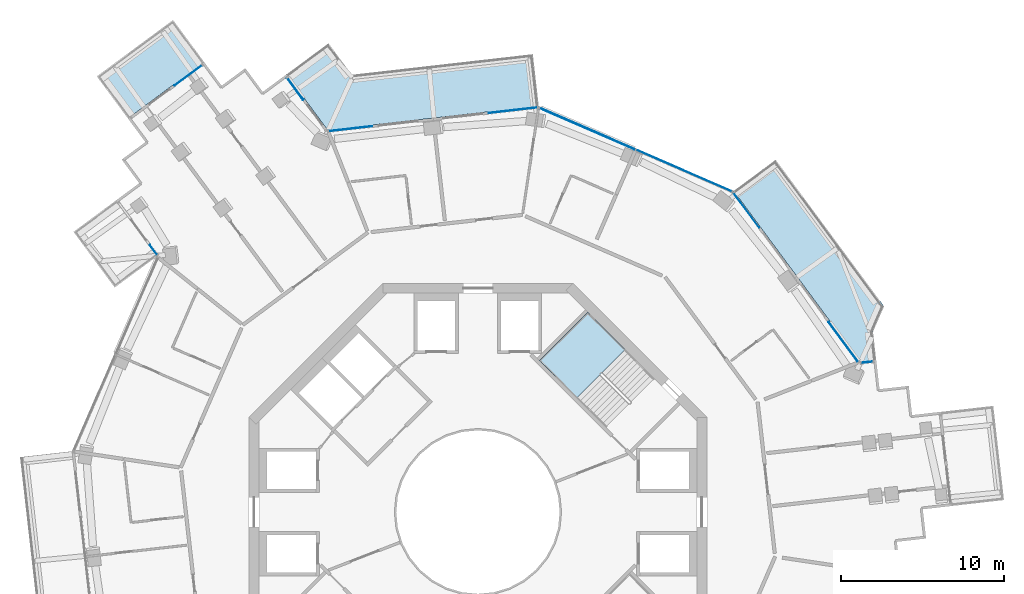
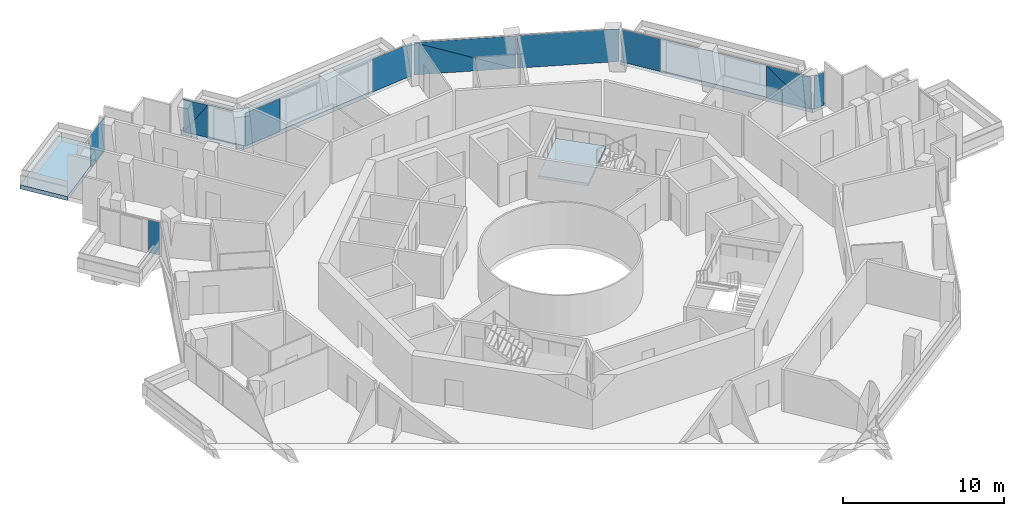
# One storey, part 14 of 23: 13 plates, 4 slabs, 8 elements without a shape of their own.
"""IFC4 building model written with IfcOpenShell, lengths in metres."""

from ifc_helpers import new_model, si_unit, direction, frame, origin, origin_2d, place, context, subcontext, project, spatial, polyline, rectangle, outline, extrude, material, layer, layer_set, type_object, element, aggregate, save


model = new_model("IFC4")

# Units and contexts
model_context = context("Model", 3, precision=1e-05, world=origin(), true_north=direction((0.0, 1.0)))
body_context = subcontext(model_context, "Body", "Model", "MODEL_VIEW")
ifc_project = project(units=[si_unit("LENGTHUNIT", "METRE"), si_unit("AREAUNIT", "SQUARE_METRE"), si_unit("VOLUMEUNIT", "CUBIC_METRE"), si_unit("PLANEANGLEUNIT", "RADIAN"), si_unit("MASSUNIT", "GRAM", prefix="KILO")], contexts=[model_context])

# Site, building, storey
site_placement = place(None, origin())
site = spatial("IfcSite", under=ifc_project, at=site_placement, CompositionType="ELEMENT")
building_placement = place(site_placement, origin())
building = spatial("IfcBuilding", under=site, at=building_placement, Name="Verdalira Terraces Hotel", CompositionType="ELEMENT")
storey_placement = place(building_placement, frame((0.0, 0.0, 183.5)))
storey = spatial("IfcBuildingStorey", under=building, at=storey_placement, Name="L44", CompositionType="ELEMENT", Elevation=183.5)

# Slabs
ifc_material_1 = material(Name="Precast concrete C40/50", Category="concrete")
ifc_layer_1 = layer(ifc_material_1, 0.31005859375)
ifc_layer_set_1 = layer_set([ifc_layer_1], Name="Balcony deck 310")
slab_type_1 = type_object("IfcSlabType", Name="Balcony deck 310", PredefinedType="FLOOR", material=ifc_layer_set_1)
slab_1_placement = place(storey_placement, frame((0.0, 0.0, -0.310059)))
element("IfcSlab", 1, at=slab_1_placement, inside=storey, type_object=slab_type_1, Name="Balcony deck", PredefinedType="FLOOR", context=body_context, shape_type="SweptSolid", body=[
    extrude(outline(polyline([(-23.316895, 26.656494), (-21.414551, 24.083496), (-16.750977, 27.531738), (-18.65332, 30.104736), (-23.316895, 26.656494)])), origin(), (0.0, 0.0, 1.0), 0.310059),
])
slab_2_placement = place(storey_placement, frame((0.0, 0.0, -0.310059)))
element("IfcSlab", 2, at=slab_2_placement, inside=storey, type_object=slab_type_1, Name="Balcony deck", PredefinedType="FLOOR", context=body_context, shape_type="SweptSolid", body=[
    extrude(outline(polyline([(15.640625, 19.648926), (23.369873, 9.196289), (24.363281, 9.309082), (24.167969, 11.030029), (24.844482, 12.584229), (18.213623, 21.551514), (15.640625, 19.648926)])), origin(), (0.0, 0.0, 1.0), 0.310059),
])
slab_3_placement = place(storey_placement, frame((0.0, 0.0, -0.310059)))
element("IfcSlab", 3, at=slab_3_placement, inside=storey, type_object=slab_type_1, Name="Balcony deck", PredefinedType="FLOOR", context=body_context, shape_type="SweptSolid", body=[
    extrude(outline(polyline([(-9.142822, 28.679932), (-11.71582, 26.777588), (-9.196289, 23.369873), (3.720703, 24.836914), (3.359619, 28.016357), (-7.72168, 26.757812), (-9.142822, 28.679932)])), origin(), (0.0, 0.0, 1.0), 0.310059),
])

# Curtain wall, plates
ifc_material_2 = material(Name="Clear glass", Category="glass")
ifc_layer_2 = layer(ifc_material_2, 0.14990234375)
ifc_layer_set_2 = layer_set([ifc_layer_2], Name="CW1 curtain wall")
curtain_wall_type_1 = type_object("IfcCurtainWallType", Name="CW1 curtain wall", PredefinedType="NOTDEFINED", material=ifc_layer_set_2)
curtain_wall_1_placement = place(storey_placement, origin())
curtain_wall_1 = element("IfcCurtainWall", 4, at=curtain_wall_1_placement, inside=storey, type_object=curtain_wall_type_1, Name="CW1 curtain wall L44 edge 39", PredefinedType="NOTDEFINED")
ifc_material_3 = material(Name="Clear glass", Category="glass")
ifc_layer_3 = layer(ifc_material_3, 0.028076171875)
ifc_layer_set_3 = layer_set([ifc_layer_3], Name="CW1 glass unit 28")
plate_type_1 = type_object("IfcPlateType", Name="CW1 glass unit 28", PredefinedType="CURTAIN_PANEL", material=ifc_layer_set_3)
plate_1_placement = place(storey_placement, frame((22.358887, 10.413818, 1.237549), z_axis=(0.804064444, 0.594542152, 0.0), x_axis=(-0.594542152, 0.804064444, 0.0)))
plate_1 = element("IfcPlate", 5, at=plate_1_placement, type_object=plate_type_1, Name="CW1 glass unit", PredefinedType="CURTAIN_PANEL", context=body_context, shape_type="SweptSolid", body=[
    extrude(outline(polyline([(-1.52002, -1.237549), (1.52002, -1.237549), (1.52002, 1.237549), (-1.52002, -1.237549)])), origin(), (0.0, 0.0, 1.0), 0.028076),
])
plate_2_placement = place(storey_placement, frame((22.335449, 10.396484, 1.237549), z_axis=(0.804064444, 0.594542152, 0.0), x_axis=(-0.594542152, 0.804064444, 0.0)))
plate_2 = element("IfcPlate", 6, at=plate_2_placement, type_object=plate_type_1, Name="CW1 glass unit", PredefinedType="CURTAIN_PANEL", context=body_context, shape_type="SweptSolid", body=[
    extrude(outline(polyline([(-1.52002, -1.237549), (1.52002, 1.237549), (-1.52002, 1.237549), (-1.52002, -1.237549)])), origin(), (0.0, 0.0, 1.0), 0.028076),
])
plate_3_placement = place(storey_placement, frame((16.424316, 18.463135, 0.0), z_axis=(0.0, 0.0, 1.0), x_axis=(-0.594542152, 0.804064444, 0.0)))
plate_3 = element("IfcPlate", 7, at=plate_3_placement, type_object=plate_type_1, Name="CW1 glass unit", PredefinedType="CURTAIN_PANEL", context=body_context, shape_type="SweptSolid", body=[
    extrude(rectangle(XDim=2.638428, YDim=0.028076, at=origin_2d()), origin(), (0.0, 0.0, 1.0), 2.475098),
])
aggregate(curtain_wall_1, [plate_1, plate_2, plate_3])

curtain_wall_2_placement = place(storey_placement, origin())
curtain_wall_2 = element("IfcCurtainWall", 8, at=curtain_wall_2_placement, inside=storey, type_object=curtain_wall_type_1, Name="CW1 curtain wall L44 edge 40", PredefinedType="NOTDEFINED")
plate_4_placement = place(storey_placement, frame((12.598633, 20.891113, 0.0), z_axis=(0.0, 0.0, 1.0), x_axis=(-0.916920829, 0.399069159, 0.0)))
plate_4 = element("IfcPlate", 9, at=plate_4_placement, type_object=plate_type_1, Name="CW1 glass unit", PredefinedType="CURTAIN_PANEL", context=body_context, shape_type="SweptSolid", body=[
    extrude(rectangle(XDim=6.369873, YDim=0.028076, at=origin_2d()), origin(), (0.0, 0.0, 1.0), 2.475098),
])
plate_5_placement = place(storey_placement, frame((6.69751, 23.444336, 1.237549), z_axis=(0.399069159, 0.916920829, 0.0), x_axis=(-0.916920829, 0.399069159, 0.0)))
plate_5 = element("IfcPlate", 10, at=plate_5_placement, type_object=plate_type_1, Name="CW1 glass unit", PredefinedType="CURTAIN_PANEL", context=body_context, shape_type="SweptSolid", body=[
    extrude(outline(polyline([(-3.185059, -1.237549), (3.185059, -1.237549), (3.185059, 1.237549), (-3.185059, -1.237549)])), origin(), (0.0, 0.0, 1.0), 0.028076),
])
plate_6_placement = place(storey_placement, frame((6.686035, 23.417725, 1.237549), z_axis=(0.399069159, 0.916920829, 0.0), x_axis=(-0.916920829, 0.399069159, 0.0)))
plate_6 = element("IfcPlate", 11, at=plate_6_placement, type_object=plate_type_1, Name="CW1 glass unit", PredefinedType="CURTAIN_PANEL", context=body_context, shape_type="SweptSolid", body=[
    extrude(outline(polyline([(-3.185059, -1.237549), (3.185059, 1.237549), (-3.185059, 1.237549), (-3.185059, -1.237549)])), origin(), (0.0, 0.0, 1.0), 0.028076),
])
aggregate(curtain_wall_2, [plate_4, plate_5, plate_6])

curtain_wall_3_placement = place(storey_placement, origin())
curtain_wall_3 = element("IfcCurtainWall", 12, at=curtain_wall_3_placement, inside=storey, type_object=curtain_wall_type_1, Name="CW1 curtain wall L44 edge 41", PredefinedType="NOTDEFINED")
plate_7_placement = place(storey_placement, frame((2.139404, 24.581787, 0.0), z_axis=(0.0, 0.0, 1.0), x_axis=(-0.993611311, -0.112856385, 0.0)))
plate_7 = element("IfcPlate", 13, at=plate_7_placement, type_object=plate_type_1, Name="CW1 glass unit", PredefinedType="CURTAIN_PANEL", context=body_context, shape_type="SweptSolid", body=[
    extrude(rectangle(XDim=2.999756, YDim=0.028076, at=origin_2d()), origin(), (0.0, 0.0, 1.0), 2.475098),
])
plate_8_placement = place(storey_placement, frame((-7.797363, 23.453125, 0.0), z_axis=(0.0, 0.0, 1.0), x_axis=(-0.993611311, -0.112856385, 0.0)))
plate_8 = element("IfcPlate", 14, at=plate_8_placement, type_object=plate_type_1, Name="CW1 glass unit", PredefinedType="CURTAIN_PANEL", context=body_context, shape_type="SweptSolid", body=[
    extrude(rectangle(XDim=2.678711, YDim=0.028076, at=origin_2d()), origin(), (0.0, 0.0, 1.0), 2.475098),
])
aggregate(curtain_wall_3, [plate_7, plate_8])

ifc_material_4 = material(Name="Clear glass", Category="glass")
ifc_layer_4 = layer(ifc_material_4, 0.14990234375)
ifc_layer_set_4 = layer_set([ifc_layer_4], Name="CW2 curtain wall")
curtain_wall_type_2 = type_object("IfcCurtainWallType", Name="CW2 curtain wall", PredefinedType="NOTDEFINED", material=ifc_layer_set_4)
curtain_wall_4_placement = place(storey_placement, origin())
curtain_wall_4 = element("IfcCurtainWall", 15, at=curtain_wall_4_placement, inside=storey, type_object=curtain_wall_type_2, Name="CW2 curtain wall L44 edge 0", PredefinedType="NOTDEFINED")
ifc_material_5 = material(Name="Clear glass", Category="glass")
ifc_layer_5 = layer(ifc_material_5, 0.031982421875)
ifc_layer_set_5 = layer_set([ifc_layer_5], Name="CW2 glass unit 32")
plate_type_2 = type_object("IfcPlateType", Name="CW2 glass unit 32", PredefinedType="CURTAIN_PANEL", material=ifc_layer_set_5)
plate_9_placement = place(storey_placement, frame((-11.169434, 25.885254, 1.237549), z_axis=(0.804064444, 0.594542152, 0.0), x_axis=(-0.594542152, 0.804064444, 0.0)))
plate_9 = element("IfcPlate", 16, at=plate_9_placement, type_object=plate_type_2, Name="CW2 glass unit", PredefinedType="CURTAIN_PANEL", context=body_context, shape_type="SweptSolid", body=[
    extrude(outline(polyline([(-0.822266, -1.237549), (0.822266, -1.237549), (-0.822266, 1.237549), (-0.822266, -1.237549)])), origin(), (0.0, 0.0, 1.0), 0.031982),
])
plate_10_placement = place(storey_placement, frame((-11.195801, 25.865723, 1.237549), z_axis=(0.804064444, 0.594542152, 0.0), x_axis=(-0.594542152, 0.804064444, 0.0)))
plate_10 = element("IfcPlate", 17, at=plate_10_placement, type_object=plate_type_2, Name="CW2 glass unit", PredefinedType="CURTAIN_PANEL", context=body_context, shape_type="SweptSolid", body=[
    extrude(outline(polyline([(0.822266, -1.237549), (0.822266, 1.237549), (-0.822266, 1.237549), (0.822266, -1.237549)])), origin(), (0.0, 0.0, 1.0), 0.031982),
])
aggregate(curtain_wall_4, [plate_9, plate_10])

# Curtain wall, plate
curtain_wall_5_placement = place(storey_placement, origin())
curtain_wall_5 = element("IfcCurtainWall", 18, at=curtain_wall_5_placement, inside=storey, type_object=curtain_wall_type_2, Name="CW2 curtain wall L44 edge 10", PredefinedType="NOTDEFINED")
plate_11_placement = place(storey_placement, frame((-19.849854, 16.03833, 0.0), z_axis=(0.0, 0.0, 1.0), x_axis=(0.594542152, -0.804064444, 0.0)))
plate_11 = element("IfcPlate", 19, at=plate_11_placement, type_object=plate_type_2, Name="CW2 glass unit", PredefinedType="CURTAIN_PANEL", context=body_context, shape_type="SweptSolid", body=[
    extrude(rectangle(XDim=0.738037, YDim=0.031982, at=origin_2d()), origin(), (0.0, 0.0, 1.0), 2.475098),
])
aggregate(curtain_wall_5, [plate_11])

curtain_wall_6_placement = place(storey_placement, origin())
curtain_wall_6 = element("IfcCurtainWall", 20, at=curtain_wall_6_placement, inside=storey, type_object=curtain_wall_type_2, Name="CW2 curtain wall L44 edge 38", PredefinedType="NOTDEFINED")
plate_12_placement = place(storey_placement, frame((23.800537, 9.169678, 0.0), z_axis=(0.0, 0.0, 1.0), x_axis=(-0.993611311, -0.112856385, 0.0)))
plate_12 = element("IfcPlate", 21, at=plate_12_placement, type_object=plate_type_2, Name="CW2 glass unit", PredefinedType="CURTAIN_PANEL", context=body_context, shape_type="SweptSolid", body=[
    extrude(rectangle(XDim=0.709961, YDim=0.031982, at=origin_2d()), origin(), (0.0, 0.0, 1.0), 2.475098),
])
aggregate(curtain_wall_6, [plate_12])

ifc_material_6 = material(Name="Clear glass", Category="glass")
ifc_layer_6 = layer(ifc_material_6, 0.14990234375)
ifc_layer_set_6 = layer_set([ifc_layer_6], Name="CW3 curtain wall")
curtain_wall_type_3 = type_object("IfcCurtainWallType", Name="CW3 curtain wall", PredefinedType="NOTDEFINED", material=ifc_layer_set_6)
curtain_wall_7_placement = place(storey_placement, origin())
curtain_wall_7 = element("IfcCurtainWall", 22, at=curtain_wall_7_placement, inside=storey, type_object=curtain_wall_type_3, Name="CW3 curtain wall L44 edge 5", PredefinedType="NOTDEFINED")
ifc_material_7 = material(Name="Clear glass", Category="glass")
ifc_layer_7 = layer(ifc_material_7, 0.035888671875)
ifc_layer_set_7 = layer_set([ifc_layer_7], Name="CW3 glass unit 36")
plate_type_3 = type_object("IfcPlateType", Name="CW3 glass unit 36", PredefinedType="CURTAIN_PANEL", material=ifc_layer_set_7)
plate_13_placement = place(storey_placement, frame((-17.727539, 26.716309, 0.0), z_axis=(0.0, 0.0, 1.0), x_axis=(-0.804064444, -0.594542152, 0.0)))
plate_13 = element("IfcPlate", 23, at=plate_13_placement, type_object=plate_type_3, Name="CW3 glass unit", PredefinedType="CURTAIN_PANEL", context=body_context, shape_type="SweptSolid", body=[
    extrude(rectangle(XDim=2.080078, YDim=0.035889, at=origin_2d()), origin(), (0.0, 0.0, 1.0), 2.475098),
])
aggregate(curtain_wall_7, [plate_13])

# Stair, slab
ifc_material_8 = material(Name="Concrete C40", Category="concrete")
stair_type = type_object("IfcStairType", Name="Core stair 20 risers 2050 mm wide", PredefinedType="HALF_TURN_STAIR", material=ifc_material_8)
stair_placement = place(storey_placement, origin())
stair = element("IfcStair", 24, at=stair_placement, inside=storey, type_object=stair_type, Name="L44 Exit stair ST1", PredefinedType="HALF_TURN_STAIR")
ifc_material_9 = material(Name="Concrete C40", Category="concrete")
ifc_layer_8 = layer(ifc_material_9, 0.199951171875)
ifc_layer_set_8 = layer_set([ifc_layer_8], Name="Core stair landing 200 mm")
slab_type_2 = type_object("IfcSlabType", Name="Core stair landing 200 mm", PredefinedType="LANDING", material=ifc_layer_set_8)
slab_4_placement = place(storey_placement, frame((0.0, 0.0, 1.550049)))
slab_4 = element("IfcSlab", 25, at=slab_4_placement, type_object=slab_type_2, Name="ST1 landing 1", PredefinedType="LANDING", context=body_context, shape_type="SweptSolid", body=[
    extrude(outline(polyline([(9.001709, 9.94873), (6.717529, 12.23291), (3.747559, 9.263184), (6.031982, 6.97876), (9.001709, 9.94873)])), origin(), (0.0, 0.0, 1.0), 0.199951),
])
aggregate(stair, [slab_4])

save(model, "model.ifc")
